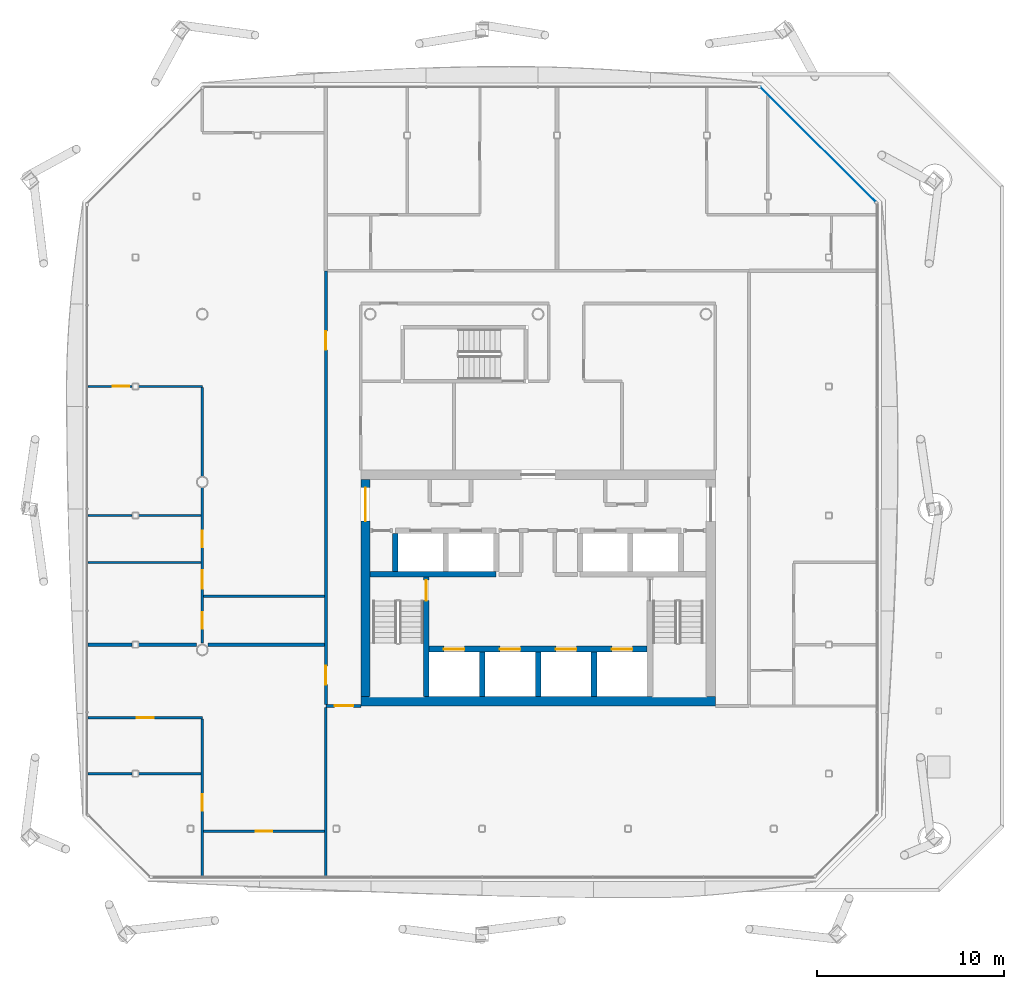
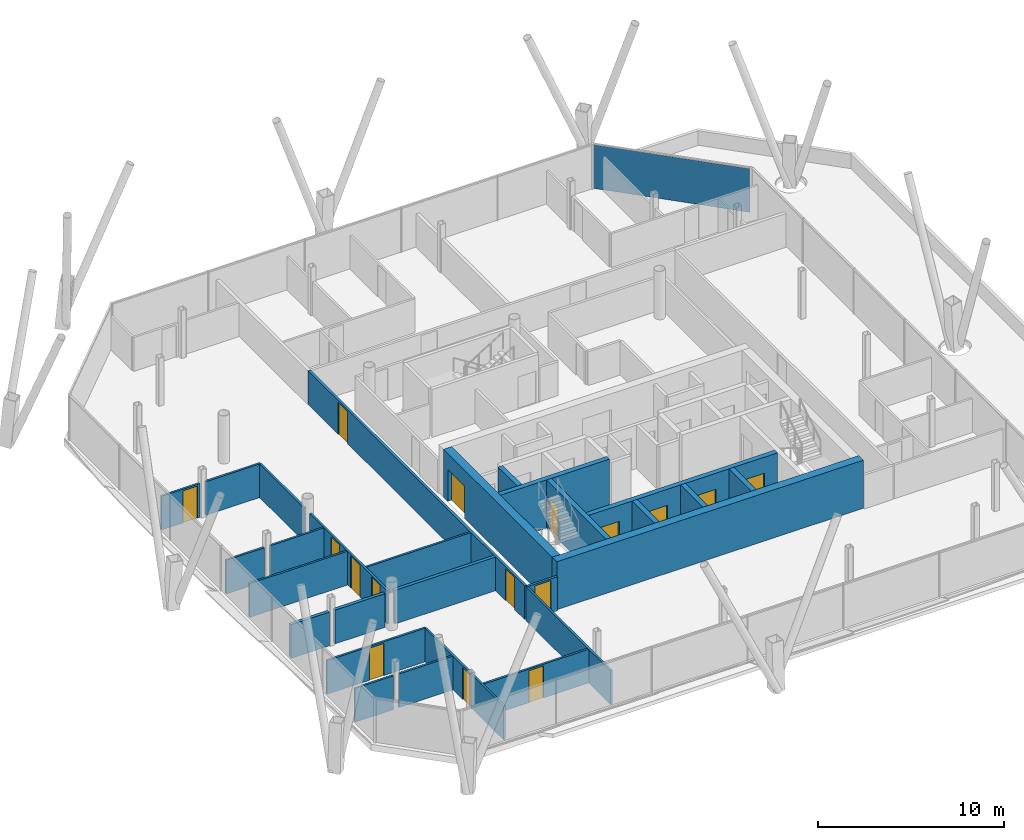
# One storey, part 13 of 21: 28 walls, 16 doors, 1 plate, 16 openings, 1 element without a shape of its own.
"""IFC4 building model written with IfcOpenShell, lengths in metres."""

from ifc_helpers import new_model, si_unit, direction, frame, frame_2d, origin, origin_2d, place, context, subcontext, project, spatial, rectangle, extrude, material, layer, layer_set, type_object, element, fill, aggregate, save


model = new_model("IFC4")

# Units and contexts
model_context = context("Model", 3, precision=1e-05, world=origin(), true_north=direction((0.0, 1.0)))
body_context = subcontext(model_context, "Body", "Model", "MODEL_VIEW")
ifc_project = project(units=[si_unit("LENGTHUNIT", "METRE"), si_unit("AREAUNIT", "SQUARE_METRE"), si_unit("VOLUMEUNIT", "CUBIC_METRE"), si_unit("PLANEANGLEUNIT", "RADIAN"), si_unit("MASSUNIT", "GRAM", prefix="KILO")], contexts=[model_context])

# Site, building, storey
site_placement = place(None, origin())
site = spatial("IfcSite", under=ifc_project, at=site_placement, CompositionType="ELEMENT")
building_placement = place(site_placement, origin())
building = spatial("IfcBuilding", under=site, at=building_placement, Name="Tskaro Facet Tower", CompositionType="ELEMENT")
storey_placement = place(building_placement, frame((0.0, 0.0, 172.199951171875)))
storey = spatial("IfcBuildingStorey", under=building, at=storey_placement, Name="L42", CompositionType="ELEMENT", Elevation=172.199951171875)

# Curtain wall, plate
ifc_material_1 = material(Name="Bronze anodised aluminium 6063-T6", Category="aluminium")
curtain_wall_type = type_object("IfcCurtainWallType", Name="Bronze residence curtain wall (FW3)", PredefinedType="NOTDEFINED", material=ifc_material_1)
curtain_wall_placement = place(storey_placement, origin())
curtain_wall = element("IfcCurtainWall", 1, at=curtain_wall_placement, inside=storey, type_object=curtain_wall_type, Name="FW3 north-east facet L42", PredefinedType="NOTDEFINED")
ifc_material_2 = material(Name="Bronze low-iron glass", Category="glass")
ifc_layer_1 = layer(ifc_material_2, 0.028076171875, Name="Bronze low-iron glass")
ifc_layer_set_1 = layer_set([ifc_layer_1], Name="Bronze low-iron glass")
plate_type = type_object("IfcPlateType", Name="FW3 bronze-tinted unit glazing 28", PredefinedType="CURTAIN_PANEL", material=ifc_layer_set_1)
plate_placement = place(storey_placement, frame((15.00390625, 18.10302734375, 0.0), z_axis=(0.0, 0.0, 1.0), x_axis=(-0.707106781187, 0.707106781187, 0.0)))
plate = element("IfcPlate", 2, at=plate_placement, type_object=plate_type, Name="FW3 north-east glazing 1.1", PredefinedType="CURTAIN_PANEL", context=body_context, shape_type="SweptSolid", body=[
    extrude(rectangle(XDim=8.691650390625, YDim=0.028076171875, at=origin_2d()), origin(), (0.0, 0.0, 1.0), 2.860107421875),
])
aggregate(curtain_wall, [plate])

# Wall, openings, doors
ifc_material_3 = material(Name="Concrete C60/75", Category="concrete")
ifc_layer_2 = layer(ifc_material_3, 0.300048828125, Name="Concrete C60/75")
ifc_layer_set_2 = layer_set([ifc_layer_2], Name="Concrete C60/75")
wall_type_1 = type_object("IfcWallType", Name="CORE-SHAFT", PredefinedType="SHEAR", material=ifc_layer_set_2)
wall_1_placement = place(storey_placement, frame((-5.85009765625, -8.949951171875, 0.0), z_axis=(0.0, 0.0, 1.0), x_axis=(1.0, 0.0, 0.0)))
wall_1 = element("IfcWall", 3, at=wall_1_placement, inside=storey, type_object=wall_type_1, Name="Shaft wall W009", PredefinedType="SHEAR", context=body_context, shape_type="SweptSolid", body=[
    extrude(rectangle(XDim=11.7001953125, YDim=0.300048828125, at=frame_2d((5.85009765625, 0.0))), origin(), (0.0, 0.0, 1.0), 3.150146484375),
])
opening_1_placement = place(wall_1_placement, frame((0.800048828125, 0.0, 0.0)))
opening_1 = element("IfcOpeningElement", 4, at=opening_1_placement, cuts=wall_1, Name="Opening LD-FF1", PredefinedType="OPENING", context=body_context, shape_type="SweptSolid", body=[
    extrude(rectangle(XDim=1.10009765625, YDim=2.10009765625, at=frame_2d((0.550048828125, 1.050048828125))), frame((0.0, 0.159912109375, 0.0), z_axis=(0.0, -1.0, 0.0), x_axis=(1.0, 0.0, 0.0)), (0.0, 0.0, 1.0), 0.320068359375),
])
opening_2_placement = place(wall_1_placement, frame((3.800048828125, 0.0, 0.0)))
opening_2 = element("IfcOpeningElement", 5, at=opening_2_placement, cuts=wall_1, Name="Opening LD-FF2", PredefinedType="OPENING", context=body_context, shape_type="SweptSolid", body=[
    extrude(rectangle(XDim=1.10009765625, YDim=2.10009765625, at=frame_2d((0.550048828125, 1.050048828125))), frame((0.0, 0.159912109375, 0.0), z_axis=(0.0, -1.0, 0.0), x_axis=(1.0, 0.0, 0.0)), (0.0, 0.0, 1.0), 0.320068359375),
])
opening_3_placement = place(wall_1_placement, frame((6.800048828125, 0.0, 0.0)))
opening_3 = element("IfcOpeningElement", 6, at=opening_3_placement, cuts=wall_1, Name="Opening LD-SV1", PredefinedType="OPENING", context=body_context, shape_type="SweptSolid", body=[
    extrude(rectangle(XDim=1.10009765625, YDim=2.10009765625, at=frame_2d((0.550048828125, 1.050048828125))), frame((0.0, 0.159912109375, 0.0), z_axis=(0.0, -1.0, 0.0), x_axis=(1.0, 0.0, 0.0)), (0.0, 0.0, 1.0), 0.320068359375),
])
opening_4_placement = place(wall_1_placement, frame((9.800048828125, 0.0, 0.0)))
opening_4 = element("IfcOpeningElement", 7, at=opening_4_placement, cuts=wall_1, Name="Opening LD-SV2", PredefinedType="OPENING", context=body_context, shape_type="SweptSolid", body=[
    extrude(rectangle(XDim=1.10009765625, YDim=2.10009765625, at=frame_2d((0.550048828125, 1.050048828125))), frame((0.0, 0.159912109375, 0.0), z_axis=(0.0, -1.0, 0.0), x_axis=(1.0, 0.0, 0.0)), (0.0, 0.0, 1.0), 0.320068359375),
])
ifc_material_4 = material(Name="Stainless steel", Category="steel")
door_type_1 = type_object("IfcDoorType", Name="D-LANDING", OperationType="NOTDEFINED", PredefinedType="DOOR", material=ifc_material_4)
door_1_placement = place(opening_1_placement, origin())
door_1 = element("IfcDoor", 8, at=door_1_placement, inside=storey, type_object=door_type_1, Name="Landing door FF1", OperationType="DOUBLE_DOOR_SLIDING", OverallHeight=2.10009765625, OverallWidth=1.10009765625, PredefinedType="DOOR", context=body_context, shape_type="SweptSolid", body=[
    extrude(rectangle(XDim=1.10009765625, YDim=2.10009765625, at=frame_2d((0.550048828125, 1.050048828125))), frame((0.0, 0.02490234375, 0.0), z_axis=(0.0, -1.0, 0.0), x_axis=(1.0, 0.0, 0.0)), (0.0, 0.0, 1.0), 0.050048828125),
])
fill(opening_1, door_1)
door_2_placement = place(opening_2_placement, origin())
door_2 = element("IfcDoor", 9, at=door_2_placement, inside=storey, type_object=door_type_1, Name="Landing door FF2", OperationType="DOUBLE_DOOR_SLIDING", OverallHeight=2.10009765625, OverallWidth=1.10009765625, PredefinedType="DOOR", context=body_context, shape_type="SweptSolid", body=[
    extrude(rectangle(XDim=1.10009765625, YDim=2.10009765625, at=frame_2d((0.550048828125, 1.050048828125))), frame((0.0, 0.02490234375, 0.0), z_axis=(0.0, -1.0, 0.0), x_axis=(1.0, 0.0, 0.0)), (0.0, 0.0, 1.0), 0.050048828125),
])
fill(opening_2, door_2)
door_3_placement = place(opening_3_placement, origin())
door_3 = element("IfcDoor", 10, at=door_3_placement, inside=storey, type_object=door_type_1, Name="Landing door SV1", OperationType="DOUBLE_DOOR_SLIDING", OverallHeight=2.10009765625, OverallWidth=1.10009765625, PredefinedType="DOOR", context=body_context, shape_type="SweptSolid", body=[
    extrude(rectangle(XDim=1.10009765625, YDim=2.10009765625, at=frame_2d((0.550048828125, 1.050048828125))), frame((0.0, 0.02490234375, 0.0), z_axis=(0.0, -1.0, 0.0), x_axis=(1.0, 0.0, 0.0)), (0.0, 0.0, 1.0), 0.050048828125),
])
fill(opening_3, door_3)
door_4_placement = place(opening_4_placement, origin())
door_4 = element("IfcDoor", 11, at=door_4_placement, inside=storey, type_object=door_type_1, Name="Landing door SV2", OperationType="DOUBLE_DOOR_SLIDING", OverallHeight=2.10009765625, OverallWidth=1.10009765625, PredefinedType="DOOR", context=body_context, shape_type="SweptSolid", body=[
    extrude(rectangle(XDim=1.10009765625, YDim=2.10009765625, at=frame_2d((0.550048828125, 1.050048828125))), frame((0.0, 0.02490234375, 0.0), z_axis=(0.0, -1.0, 0.0), x_axis=(1.0, 0.0, 0.0)), (0.0, 0.0, 1.0), 0.050048828125),
])
fill(opening_4, door_4)

# Walls
wall_2_placement = place(storey_placement, frame((-9.0, -4.949951171875, 0.0), z_axis=(0.0, 0.0, 1.0), x_axis=(1.0, 0.0, 0.0)))
element("IfcWall", 12, at=wall_2_placement, inside=storey, type_object=wall_type_1, Name="Shaft wall W016", PredefinedType="SHEAR", context=body_context, shape_type="SweptSolid", body=[
    extrude(rectangle(XDim=6.75, YDim=0.300048828125, at=frame_2d((3.375, 0.0))), origin(), (0.0, 0.0, 1.0), 3.150146484375),
])
wall_3_placement = place(storey_placement, frame((-7.64990234375, -4.800048828125, 0.0), z_axis=(0.0, 0.0, 1.0), x_axis=(0.0, 1.0, 0.0)))
element("IfcWall", 13, at=wall_3_placement, inside=storey, type_object=wall_type_1, Name="Shaft wall W055", PredefinedType="SHEAR", context=body_context, shape_type="SweptSolid", body=[
    extrude(rectangle(XDim=2.050048828125, YDim=0.300048828125, at=frame_2d((1.02490234375, 0.0))), origin(), (0.0, 0.0, 1.0), 3.150146484375),
])

# Wall, opening, door
wall_4_placement = place(storey_placement, frame((-6.0, -11.5, 0.0), z_axis=(0.0, 0.0, 1.0), x_axis=(0.0, 1.0, 0.0)))
wall_4 = element("IfcWall", 14, at=wall_4_placement, inside=storey, type_object=wall_type_1, Name="Shaft wall W059", PredefinedType="SHEAR", context=body_context, shape_type="SweptSolid", body=[
    extrude(rectangle(XDim=6.39990234375, YDim=0.300048828125, at=frame_2d((3.199951171875, 0.0))), origin(), (0.0, 0.0, 1.0), 3.150146484375),
])
opening_5_placement = place(wall_4_placement, frame((5.14990234375, 0.0, 0.0)))
opening_5 = element("IfcOpeningElement", 15, at=opening_5_placement, cuts=wall_4, Name="Opening ST-1-D1", PredefinedType="OPENING", context=body_context, shape_type="SweptSolid", body=[
    extrude(rectangle(XDim=1.10009765625, YDim=2.10009765625, at=frame_2d((0.550048828125, 1.050048828125))), frame((0.0, 0.159912109375, 0.0), z_axis=(0.0, -1.0, 0.0), x_axis=(1.0, 0.0, 0.0)), (0.0, 0.0, 1.0), 0.320068359375),
])
ifc_material_5 = material(Name="Steel", Category="steel")
door_type_2 = type_object("IfcDoorType", Name="D-STAIR", OperationType="NOTDEFINED", PredefinedType="DOOR", material=ifc_material_5)
door_5_placement = place(opening_5_placement, origin())
door_5 = element("IfcDoor", 16, at=door_5_placement, inside=storey, type_object=door_type_2, Name="Stair door 1", OperationType="SINGLE_SWING_LEFT", OverallHeight=2.10009765625, OverallWidth=1.10009765625, PredefinedType="DOOR", context=body_context, shape_type="SweptSolid", body=[
    extrude(rectangle(XDim=1.10009765625, YDim=2.10009765625, at=frame_2d((0.550048828125, 1.050048828125))), frame((0.0, 0.02490234375, 0.0), z_axis=(0.0, -1.0, 0.0), x_axis=(1.0, 0.0, 0.0)), (0.0, 0.0, 1.0), 0.050048828125),
])
fill(opening_5, door_5)

# Walls
for number, where, z_axis, x_axis, name in (
    (17, (-3.0, -11.5, 0.0), (0.0, 0.0, 1.0), (0.0, 1.0, 0.0), "Shaft wall W065"),
    (18, (0.0, -11.5, 0.0), (0.0, 0.0, 1.0), (0.0, 1.0, 0.0), "Shaft wall W069"),
    (19, (3.0, -11.5, 0.0), (0.0, 0.0, 1.0), (0.0, 1.0, 0.0), "Shaft wall W076"),
):
    element("IfcWall", number, at=place(storey_placement, frame(where, z_axis=z_axis, x_axis=x_axis)), inside=storey, type_object=wall_type_1, Name=name, PredefinedType="SHEAR", context=body_context, shape_type="SweptSolid", body=[
        extrude(rectangle(XDim=2.39990234375, YDim=0.300048828125, at=frame_2d((1.199951171875, 0.0))), origin(), (0.0, 0.0, 1.0), 3.150146484375),
    ])
ifc_material_6 = material(Name="Concrete C40/50", Category="concrete")
ifc_layer_3 = layer(ifc_material_6, 0.5, Name="Concrete C40/50")
ifc_layer_set_3 = layer_set([ifc_layer_3], Name="Concrete C40/50")
wall_type_2 = type_object("IfcWallType", Name="Core wall 500", PredefinedType="SHEAR", material=ifc_layer_set_3)
wall_5_placement = place(storey_placement, frame((-9.5, -11.75, 0.0), z_axis=(0.0, 0.0, 1.0), x_axis=(1.0, 0.0, 0.0)))
element("IfcWall", 20, at=wall_5_placement, inside=storey, type_object=wall_type_2, Name="Core wall CW-Z3S", PredefinedType="SHEAR", context=body_context, shape_type="SweptSolid", body=[
    extrude(rectangle(XDim=19.0, YDim=0.5, at=frame_2d((9.5, 0.0))), origin(), (0.0, 0.0, 1.0), 3.150146484375),
])

# Wall, opening, door
wall_6_placement = place(storey_placement, frame((-9.25, -11.5, 0.0), z_axis=(0.0, 0.0, 1.0), x_axis=(0.0, 1.0, 0.0)))
wall_6 = element("IfcWall", 21, at=wall_6_placement, inside=storey, type_object=wall_type_2, Name="Core wall CW-Z3W", PredefinedType="SHEAR", context=body_context, shape_type="SweptSolid", body=[
    extrude(rectangle(XDim=11.64990234375, YDim=0.5, at=frame_2d((5.824951171875, 0.0))), origin(), (0.0, 0.0, 1.0), 3.150146484375),
])
opening_6_placement = place(wall_6_placement, frame((9.39990234375, 0.0, 0.0)))
opening_6 = element("IfcOpeningElement", 22, at=opening_6_placement, cuts=wall_6, Name="Opening T12-D16", PredefinedType="OPENING", context=body_context, shape_type="SweptSolid", body=[
    extrude(rectangle(XDim=1.800048828125, YDim=2.10009765625, at=frame_2d((0.89990234375, 1.050048828125))), frame((0.0, 0.260009765625, 0.0), z_axis=(0.0, -1.0, 0.0), x_axis=(1.0, 0.0, 0.0)), (0.0, 0.0, 1.0), 0.52001953125),
])
door_type_3 = type_object("IfcDoorType", Name="D-CORE-PAIR", OperationType="NOTDEFINED", PredefinedType="DOOR", material=ifc_material_5)
door_6_placement = place(opening_6_placement, origin())
door_6 = element("IfcDoor", 23, at=door_6_placement, inside=storey, type_object=door_type_3, Name="Door T12-D16", OperationType="DOUBLE_DOOR_SINGLE_SWING", OverallHeight=2.10009765625, OverallWidth=1.800048828125, PredefinedType="DOOR", context=body_context, shape_type="SweptSolid", body=[
    extrude(rectangle(XDim=1.800048828125, YDim=2.10009765625, at=frame_2d((0.89990234375, 1.050048828125))), frame((0.0, 0.02490234375, 0.0), z_axis=(0.0, -1.0, 0.0), x_axis=(1.0, 0.0, 0.0)), (0.0, 0.0, 1.0), 0.050048828125),
])
fill(opening_6, door_6)

ifc_material_7 = material(Name="Gypsum board on steel studs", Category="steel")
ifc_layer_4 = layer(ifc_material_7, 0.125, Name="Gypsum board on steel studs")
ifc_layer_set_4 = layer_set([ifc_layer_4], Name="Gypsum board on steel studs")
wall_type_3 = type_object("IfcWallType", Name="PART", PredefinedType="PARTITIONING", material=ifc_layer_set_4)
wall_7_placement = place(storey_placement, frame((-11.4375, -18.72509765625, 0.0), z_axis=(0.0, 0.0, 1.0), x_axis=(-1.0, 0.0, 0.0)))
wall_7 = element("IfcWall", 24, at=wall_7_placement, inside=storey, type_object=wall_type_3, Name="Partition W001", PredefinedType="PARTITIONING", context=body_context, shape_type="SweptSolid", body=[
    extrude(rectangle(XDim=6.5, YDim=0.125, at=frame_2d((3.25, 0.0))), origin(), (0.0, 0.0, 1.0), 2.2099609375),
])
opening_7_placement = place(wall_7_placement, frame((2.800048828125, 0.0, 0.0)))
opening_7 = element("IfcOpeningElement", 25, at=opening_7_placement, cuts=wall_7, Name="Opening T12-D01", PredefinedType="OPENING", context=body_context, shape_type="SweptSolid", body=[
    extrude(rectangle(XDim=0.89990234375, YDim=2.10009765625, at=frame_2d((0.449951171875, 1.050048828125))), frame((0.0, 0.072509765625, 0.0), z_axis=(0.0, -1.0, 0.0), x_axis=(1.0, 0.0, 0.0)), (0.0, 0.0, 1.0), 0.14501953125),
])
ifc_material_8 = material(Name="Timber", Category="wood")
door_type_4 = type_object("IfcDoorType", Name="D-ROOM", OperationType="NOTDEFINED", PredefinedType="DOOR", material=ifc_material_8)
door_7_placement = place(opening_7_placement, origin())
door_7 = element("IfcDoor", 26, at=door_7_placement, inside=storey, type_object=door_type_4, Name="Door T12-D01", OperationType="SINGLE_SWING_RIGHT", OverallHeight=2.10009765625, OverallWidth=0.89990234375, PredefinedType="DOOR", context=body_context, shape_type="SweptSolid", body=[
    extrude(rectangle(XDim=0.89990234375, YDim=2.10009765625, at=frame_2d((0.449951171875, 1.050048828125))), frame((0.0, 0.02490234375, 0.0), z_axis=(0.0, -1.0, 0.0), x_axis=(1.0, 0.0, 0.0)), (0.0, 0.0, 1.0), 0.050048828125),
])
fill(opening_7, door_7)

# Walls
wall_8_placement = place(storey_placement, frame((-24.125, -15.635009765625, 0.0), z_axis=(0.0, 0.0, 1.0), x_axis=(1.0, 0.0, 0.0)))
element("IfcWall", 27, at=wall_8_placement, inside=storey, type_object=wall_type_3, Name="Partition W002", PredefinedType="PARTITIONING", context=body_context, shape_type="SweptSolid", body=[
    extrude(rectangle(XDim=2.366943359375, YDim=0.125, at=frame_2d((1.18359375, 0.0))), origin(), (0.0, 0.0, 1.0), 2.2099609375),
])
wall_9_placement = place(storey_placement, frame((-21.407958984375, -15.635009765625, 0.0), z_axis=(0.0, 0.0, 1.0), x_axis=(1.0, 0.0, 0.0)))
element("IfcWall", 28, at=wall_9_placement, inside=storey, type_object=wall_type_3, Name="Partition W003", PredefinedType="PARTITIONING", context=body_context, shape_type="SweptSolid", body=[
    extrude(rectangle(XDim=3.345458984375, YDim=0.125, at=frame_2d((1.6728515625, 0.0))), origin(), (0.0, 0.0, 1.0), 2.2099609375),
])

# Wall, opening, door
wall_10_placement = place(storey_placement, frame((-18.0, -12.625, 0.0), z_axis=(0.0, 0.0, 1.0), x_axis=(-1.0, 0.0, 0.0)))
wall_10 = element("IfcWall", 29, at=wall_10_placement, inside=storey, type_object=wall_type_3, Name="Partition W004", PredefinedType="PARTITIONING", context=body_context, shape_type="SweptSolid", body=[
    extrude(rectangle(XDim=6.125, YDim=0.125, at=frame_2d((3.0625, 0.0))), origin(), (0.0, 0.0, 1.0), 2.2099609375),
])
opening_8_placement = place(wall_10_placement, frame((2.612548828125, 0.0, 0.0)))
opening_8 = element("IfcOpeningElement", 30, at=opening_8_placement, cuts=wall_10, Name="Opening T12-D03", PredefinedType="OPENING", context=body_context, shape_type="SweptSolid", body=[
    extrude(rectangle(XDim=0.89990234375, YDim=2.10009765625, at=frame_2d((0.449951171875, 1.050048828125))), frame((0.0, 0.072509765625, 0.0), z_axis=(0.0, -1.0, 0.0), x_axis=(1.0, 0.0, 0.0)), (0.0, 0.0, 1.0), 0.14501953125),
])
door_8_placement = place(opening_8_placement, origin())
door_8 = element("IfcDoor", 31, at=door_8_placement, inside=storey, type_object=door_type_4, Name="Door T12-D03", OperationType="SINGLE_SWING_RIGHT", OverallHeight=2.10009765625, OverallWidth=0.89990234375, PredefinedType="DOOR", context=body_context, shape_type="SweptSolid", body=[
    extrude(rectangle(XDim=0.89990234375, YDim=2.10009765625, at=frame_2d((0.449951171875, 1.050048828125))), frame((0.0, 0.02490234375, 0.0), z_axis=(0.0, -1.0, 0.0), x_axis=(1.0, 0.0, 0.0)), (0.0, 0.0, 1.0), 0.050048828125),
])
fill(opening_8, door_8)

# Walls
wall_11_placement = place(storey_placement, frame((-17.9375, -6.114990234375, 0.0), z_axis=(0.0, 0.0, 1.0), x_axis=(1.0, 0.0, 0.0)))
element("IfcWall", 32, at=wall_11_placement, inside=storey, type_object=wall_type_3, Name="Partition W015", PredefinedType="PARTITIONING", context=body_context, shape_type="SweptSolid", body=[
    extrude(rectangle(XDim=6.487548828125, YDim=0.125, at=frame_2d((3.24365234375, 0.0))), origin(), (0.0, 0.0, 1.0), 2.2099609375),
])
wall_12_placement = place(storey_placement, frame((-24.125, -4.31494140625, 0.0), z_axis=(0.0, 0.0, 1.0), x_axis=(1.0, 0.0, 0.0)))
element("IfcWall", 33, at=wall_12_placement, inside=storey, type_object=wall_type_3, Name="Partition W020", PredefinedType="PARTITIONING", context=body_context, shape_type="SweptSolid", body=[
    extrude(rectangle(XDim=6.0625, YDim=0.125, at=frame_2d((3.03125, 0.0))), origin(), (0.0, 0.0, 1.0), 2.2099609375),
])
wall_13_placement = place(storey_placement, frame((-24.125, -1.794921875, 0.0), z_axis=(0.0, 0.0, 1.0), x_axis=(1.0, 0.0, 0.0)))
element("IfcWall", 34, at=wall_13_placement, inside=storey, type_object=wall_type_3, Name="Partition W027", PredefinedType="PARTITIONING", context=body_context, shape_type="SweptSolid", body=[
    extrude(rectangle(XDim=2.366943359375, YDim=0.125, at=frame_2d((1.18359375, 0.0))), origin(), (0.0, 0.0, 1.0), 2.2099609375),
])
wall_14_placement = place(storey_placement, frame((-21.407958984375, -1.794921875, 0.0), z_axis=(0.0, 0.0, 1.0), x_axis=(1.0, 0.0, 0.0)))
element("IfcWall", 35, at=wall_14_placement, inside=storey, type_object=wall_type_3, Name="Partition W028", PredefinedType="PARTITIONING", context=body_context, shape_type="SweptSolid", body=[
    extrude(rectangle(XDim=3.345458984375, YDim=0.125, at=frame_2d((1.6728515625, 0.0))), origin(), (0.0, 0.0, 1.0), 2.2099609375),
])

# Wall, opening, door
wall_15_placement = place(storey_placement, frame((-21.758056640625, 5.125, 0.0), z_axis=(0.0, 0.0, 1.0), x_axis=(-1.0, 0.0, 0.0)))
wall_15 = element("IfcWall", 36, at=wall_15_placement, inside=storey, type_object=wall_type_3, Name="Partition W031", PredefinedType="PARTITIONING", context=body_context, shape_type="SweptSolid", body=[
    extrude(rectangle(XDim=2.366943359375, YDim=0.125, at=frame_2d((1.18359375, 0.0))), origin(), (0.0, 0.0, 1.0), 2.2099609375),
])
opening_9_placement = place(wall_15_placement, frame((0.14990234375, 0.0, 0.0)))
opening_9 = element("IfcOpeningElement", 37, at=opening_9_placement, cuts=wall_15, Name="Opening T12-D23", PredefinedType="OPENING", context=body_context, shape_type="SweptSolid", body=[
    extrude(rectangle(XDim=0.89990234375, YDim=2.10009765625, at=frame_2d((0.449951171875, 1.050048828125))), frame((0.0, 0.072509765625, 0.0), z_axis=(0.0, -1.0, 0.0), x_axis=(1.0, 0.0, 0.0)), (0.0, 0.0, 1.0), 0.14501953125),
])
door_9_placement = place(opening_9_placement, origin())
door_9 = element("IfcDoor", 38, at=door_9_placement, inside=storey, type_object=door_type_4, Name="Door T12-D23", OperationType="SINGLE_SWING_RIGHT", OverallHeight=2.10009765625, OverallWidth=0.89990234375, PredefinedType="DOOR", context=body_context, shape_type="SweptSolid", body=[
    extrude(rectangle(XDim=0.89990234375, YDim=2.10009765625, at=frame_2d((0.449951171875, 1.050048828125))), frame((0.0, 0.02490234375, 0.0), z_axis=(0.0, -1.0, 0.0), x_axis=(1.0, 0.0, 0.0)), (0.0, 0.0, 1.0), 0.050048828125),
])
fill(opening_9, door_9)

# Wall
wall_16_placement = place(storey_placement, frame((-21.407958984375, 5.125, 0.0), z_axis=(0.0, 0.0, 1.0), x_axis=(1.0, 0.0, 0.0)))
element("IfcWall", 39, at=wall_16_placement, inside=storey, type_object=wall_type_3, Name="Partition W032", PredefinedType="PARTITIONING", context=body_context, shape_type="SweptSolid", body=[
    extrude(rectangle(XDim=3.407958984375, YDim=0.125, at=frame_2d((1.7041015625, 0.0))), origin(), (0.0, 0.0, 1.0), 2.2099609375),
])

# Wall, opening, door
wall_17_placement = place(storey_placement, frame((-18.0, -21.125, 0.0), z_axis=(0.0, 0.0, 1.0), x_axis=(0.0, 1.0, 0.0)))
wall_17 = element("IfcWall", 40, at=wall_17_placement, inside=storey, type_object=wall_type_3, Name="Partition W046", PredefinedType="PARTITIONING", context=body_context, shape_type="SweptSolid", body=[
    extrude(rectangle(XDim=8.4375, YDim=0.125, at=frame_2d((4.21875, 0.0))), origin(), (0.0, 0.0, 1.0), 2.2099609375),
])
opening_10_placement = place(wall_17_placement, frame((3.4951171875, 0.0, 0.0)))
opening_10 = element("IfcOpeningElement", 41, at=opening_10_placement, cuts=wall_17, Name="Opening T12-D02", PredefinedType="OPENING", context=body_context, shape_type="SweptSolid", body=[
    extrude(rectangle(XDim=0.89990234375, YDim=2.10009765625, at=frame_2d((0.449951171875, 1.050048828125))), frame((0.0, 0.072509765625, 0.0), z_axis=(0.0, -1.0, 0.0), x_axis=(1.0, 0.0, 0.0)), (0.0, 0.0, 1.0), 0.14501953125),
])
door_10_placement = place(opening_10_placement, origin())
door_10 = element("IfcDoor", 42, at=door_10_placement, inside=storey, type_object=door_type_4, Name="Door T12-D02", OperationType="SINGLE_SWING_RIGHT", OverallHeight=2.10009765625, OverallWidth=0.89990234375, PredefinedType="DOOR", context=body_context, shape_type="SweptSolid", body=[
    extrude(rectangle(XDim=0.89990234375, YDim=2.10009765625, at=frame_2d((0.449951171875, 1.050048828125))), frame((0.0, 0.02490234375, 0.0), z_axis=(0.0, -1.0, 0.0), x_axis=(1.0, 0.0, 0.0)), (0.0, 0.0, 1.0), 0.050048828125),
])
fill(opening_10, door_10)

# Wall, openings, doors
wall_18_placement = place(storey_placement, frame((-18.0, -8.614990234375, 0.0), z_axis=(0.0, 0.0, 1.0), x_axis=(0.0, 1.0, 0.0)))
wall_18 = element("IfcWall", 43, at=wall_18_placement, inside=storey, type_object=wall_type_3, Name="Partition W047", PredefinedType="PARTITIONING", context=body_context, shape_type="SweptSolid", body=[
    extrude(rectangle(XDim=8.31005859375, YDim=0.125, at=frame_2d((4.155029296875, 0.0))), origin(), (0.0, 0.0, 1.0), 2.2099609375),
])
opening_11_placement = place(wall_18_placement, frame((5.110107421875, 0.0, 0.0)))
opening_11 = element("IfcOpeningElement", 44, at=opening_11_placement, cuts=wall_18, Name="Opening T12-D11", PredefinedType="OPENING", context=body_context, shape_type="SweptSolid", body=[
    extrude(rectangle(XDim=0.89990234375, YDim=2.10009765625, at=frame_2d((0.449951171875, 1.050048828125))), frame((0.0, 0.072509765625, 0.0), z_axis=(0.0, -1.0, 0.0), x_axis=(1.0, 0.0, 0.0)), (0.0, 0.0, 1.0), 0.14501953125),
])
opening_12_placement = place(wall_18_placement, frame((2.89990234375, 0.0, 0.0)))
opening_12 = element("IfcOpeningElement", 45, at=opening_12_placement, cuts=wall_18, Name="Opening T12-D10", PredefinedType="OPENING", context=body_context, shape_type="SweptSolid", body=[
    extrude(rectangle(XDim=1.0, YDim=2.10009765625, at=frame_2d((0.5, 1.050048828125))), frame((0.0, 0.072509765625, 0.0), z_axis=(0.0, -1.0, 0.0), x_axis=(1.0, 0.0, 0.0)), (0.0, 0.0, 1.0), 0.14501953125),
])
opening_13_placement = place(wall_18_placement, frame((0.75, 0.0, 0.0)))
opening_13 = element("IfcOpeningElement", 46, at=opening_13_placement, cuts=wall_18, Name="Opening T12-D08", PredefinedType="OPENING", context=body_context, shape_type="SweptSolid", body=[
    extrude(rectangle(XDim=0.89990234375, YDim=2.10009765625, at=frame_2d((0.449951171875, 1.050048828125))), frame((0.0, 0.072509765625, 0.0), z_axis=(0.0, -1.0, 0.0), x_axis=(1.0, 0.0, 0.0)), (0.0, 0.0, 1.0), 0.14501953125),
])
door_11_placement = place(opening_11_placement, origin())
door_11 = element("IfcDoor", 47, at=door_11_placement, inside=storey, type_object=door_type_4, Name="Door T12-D11", OperationType="SINGLE_SWING_LEFT", OverallHeight=2.10009765625, OverallWidth=0.89990234375, PredefinedType="DOOR", context=body_context, shape_type="SweptSolid", body=[
    extrude(rectangle(XDim=0.89990234375, YDim=2.10009765625, at=frame_2d((0.449951171875, 1.050048828125))), frame((0.0, 0.02490234375, 0.0), z_axis=(0.0, -1.0, 0.0), x_axis=(1.0, 0.0, 0.0)), (0.0, 0.0, 1.0), 0.050048828125),
])
fill(opening_11, door_11)
door_12_placement = place(opening_13_placement, origin())
door_12 = element("IfcDoor", 48, at=door_12_placement, inside=storey, type_object=door_type_4, Name="Door T12-D08", OperationType="SINGLE_SWING_LEFT", OverallHeight=2.10009765625, OverallWidth=0.89990234375, PredefinedType="DOOR", context=body_context, shape_type="SweptSolid", body=[
    extrude(rectangle(XDim=0.89990234375, YDim=2.10009765625, at=frame_2d((0.449951171875, 1.050048828125))), frame((0.0, 0.02490234375, 0.0), z_axis=(0.0, -1.0, 0.0), x_axis=(1.0, 0.0, 0.0)), (0.0, 0.0, 1.0), 0.050048828125),
])
fill(opening_13, door_12)
door_type_5 = type_object("IfcDoorType", Name="D-ROOM-WIDE", OperationType="NOTDEFINED", PredefinedType="DOOR", material=ifc_material_8)
door_13_placement = place(opening_12_placement, origin())
door_13 = element("IfcDoor", 49, at=door_13_placement, inside=storey, type_object=door_type_5, Name="Door T12-D10", OperationType="SINGLE_SWING_RIGHT", OverallHeight=2.10009765625, OverallWidth=1.0, PredefinedType="DOOR", context=body_context, shape_type="SweptSolid", body=[
    extrude(rectangle(XDim=1.0, YDim=2.10009765625, at=frame_2d((0.5, 1.050048828125))), frame((0.0, 0.02490234375, 0.0), z_axis=(0.0, -1.0, 0.0), x_axis=(1.0, 0.0, 0.0)), (0.0, 0.0, 1.0), 0.050048828125),
])
fill(opening_12, door_13)

# Walls
wall_19_placement = place(storey_placement, frame((-18.0, 0.304931640625, 0.0), z_axis=(0.0, 0.0, 1.0), x_axis=(0.0, 1.0, 0.0)))
element("IfcWall", 50, at=wall_19_placement, inside=storey, type_object=wall_type_3, Name="Partition W048", PredefinedType="PARTITIONING", context=body_context, shape_type="SweptSolid", body=[
    extrude(rectangle(XDim=4.757568359375, YDim=0.125, at=frame_2d((2.37890625, 0.0))), origin(), (0.0, 0.0, 1.0), 2.2099609375),
])
wall_20_placement = place(storey_placement, frame((-11.375, -21.125, 0.0), z_axis=(0.0, 0.0, 1.0), x_axis=(0.0, 1.0, 0.0)))
element("IfcWall", 51, at=wall_20_placement, inside=storey, type_object=wall_type_3, Name="Partition W050", PredefinedType="PARTITIONING", context=body_context, shape_type="SweptSolid", body=[
    extrude(rectangle(XDim=9.050048828125, YDim=0.125, at=frame_2d((4.52490234375, 0.0))), origin(), (0.0, 0.0, 1.0), 2.2099609375),
])

# Wall, opening, door
ifc_layer_5 = layer(ifc_material_7, 0.14990234375, Name="Gypsum board on steel studs")
ifc_layer_set_5 = layer_set([ifc_layer_5], Name="Gypsum board on steel studs")
wall_type_4 = type_object("IfcWallType", Name="PART-CORR", PredefinedType="PARTITIONING", material=ifc_layer_set_5)
wall_21_placement = place(storey_placement, frame((-9.5, -12.0, 0.0), z_axis=(0.0, 0.0, 1.0), x_axis=(-1.0, 0.0, 0.0)))
wall_21 = element("IfcWall", 52, at=wall_21_placement, inside=storey, type_object=wall_type_4, Name="Corridor wall W005", PredefinedType="PARTITIONING", context=body_context, shape_type="SweptSolid", body=[
    extrude(rectangle(XDim=1.875, YDim=0.14990234375, at=frame_2d((0.9375, 0.0))), origin(), (0.0, 0.0, 1.0), 2.2099609375),
])
opening_14_placement = place(wall_21_placement, frame((0.39990234375, 0.0, 0.0)))
opening_14 = element("IfcOpeningElement", 53, at=opening_14_placement, cuts=wall_21, Name="Opening T12-D04", PredefinedType="OPENING", context=body_context, shape_type="SweptSolid", body=[
    extrude(rectangle(XDim=1.0, YDim=2.10009765625, at=frame_2d((0.5, 1.050048828125))), frame((0.0, 0.0849609375, 0.0), z_axis=(0.0, -1.0, 0.0), x_axis=(1.0, 0.0, 0.0)), (0.0, 0.0, 1.0), 0.169921875),
])
door_14_placement = place(opening_14_placement, origin())
door_14 = element("IfcDoor", 54, at=door_14_placement, inside=storey, type_object=door_type_5, Name="Door T12-D04", OperationType="SINGLE_SWING_RIGHT", OverallHeight=2.10009765625, OverallWidth=1.0, PredefinedType="DOOR", context=body_context, shape_type="SweptSolid", body=[
    extrude(rectangle(XDim=1.0, YDim=2.10009765625, at=frame_2d((0.5, 1.050048828125))), frame((0.0, 0.02490234375, 0.0), z_axis=(0.0, -1.0, 0.0), x_axis=(1.0, 0.0, 0.0)), (0.0, 0.0, 1.0), 0.050048828125),
])
fill(opening_14, door_14)

# Wall, openings, doors
wall_22_placement = place(storey_placement, frame((-11.375, -11.925048828125, 0.0), z_axis=(0.0, 0.0, 1.0), x_axis=(0.0, 1.0, 0.0)))
wall_22 = element("IfcWall", 55, at=wall_22_placement, inside=storey, type_object=wall_type_4, Name="Corridor wall W051", PredefinedType="PARTITIONING", context=body_context, shape_type="SweptSolid", body=[
    extrude(rectangle(XDim=23.25, YDim=0.14990234375, at=frame_2d((11.625, 0.0))), origin(), (0.0, 0.0, 1.0), 2.2099609375),
])
opening_15_placement = place(wall_22_placement, frame((1.0673828125, 0.0, 0.0)))
opening_15 = element("IfcOpeningElement", 56, at=opening_15_placement, cuts=wall_22, Name="Opening T12-D05", PredefinedType="OPENING", context=body_context, shape_type="SweptSolid", body=[
    extrude(rectangle(XDim=1.0, YDim=2.10009765625, at=frame_2d((0.5, 1.050048828125))), frame((0.0, 0.0849609375, 0.0), z_axis=(0.0, -1.0, 0.0), x_axis=(1.0, 0.0, 0.0)), (0.0, 0.0, 1.0), 0.169921875),
])
opening_16_placement = place(wall_22_placement, frame((19.010009765625, 0.0, 0.0)))
opening_16 = element("IfcOpeningElement", 57, at=opening_16_placement, cuts=wall_22, Name="Opening T12-D25", PredefinedType="OPENING", context=body_context, shape_type="SweptSolid", body=[
    extrude(rectangle(XDim=1.0, YDim=2.10009765625, at=frame_2d((0.5, 1.050048828125))), frame((0.0, 0.0849609375, 0.0), z_axis=(0.0, -1.0, 0.0), x_axis=(1.0, 0.0, 0.0)), (0.0, 0.0, 1.0), 0.169921875),
])
door_type_6 = type_object("IfcDoorType", Name="D-FLAT-ENTRY", OperationType="NOTDEFINED", PredefinedType="DOOR", material=ifc_material_8)
door_15_placement = place(opening_15_placement, origin())
door_15 = element("IfcDoor", 58, at=door_15_placement, inside=storey, type_object=door_type_6, Name="Door T12-D05", OperationType="SINGLE_SWING_LEFT", OverallHeight=2.10009765625, OverallWidth=1.0, PredefinedType="DOOR", context=body_context, shape_type="SweptSolid", body=[
    extrude(rectangle(XDim=1.0, YDim=2.10009765625, at=frame_2d((0.5, 1.050048828125))), frame((0.0, 0.02490234375, 0.0), z_axis=(0.0, -1.0, 0.0), x_axis=(1.0, 0.0, 0.0)), (0.0, 0.0, 1.0), 0.050048828125),
])
fill(opening_15, door_15)
door_16_placement = place(opening_16_placement, origin())
door_16 = element("IfcDoor", 59, at=door_16_placement, inside=storey, type_object=door_type_6, Name="Door T12-D25", OperationType="SINGLE_SWING_LEFT", OverallHeight=2.10009765625, OverallWidth=1.0, PredefinedType="DOOR", context=body_context, shape_type="SweptSolid", body=[
    extrude(rectangle(XDim=1.0, YDim=2.10009765625, at=frame_2d((0.5, 1.050048828125))), frame((0.0, 0.02490234375, 0.0), z_axis=(0.0, -1.0, 0.0), x_axis=(1.0, 0.0, 0.0)), (0.0, 0.0, 1.0), 0.050048828125),
])
fill(opening_16, door_16)

# Walls
ifc_layer_6 = layer(ifc_material_7, 0.199951171875, Name="Gypsum board on steel studs")
ifc_layer_set_6 = layer_set([ifc_layer_6], Name="Gypsum board on steel studs")
wall_type_5 = type_object("IfcWallType", Name="PART-DEMISING", PredefinedType="PARTITIONING", material=ifc_layer_set_6)
wall_23_placement = place(storey_placement, frame((-24.125, -8.715087890625, 0.0), z_axis=(0.0, 0.0, 1.0), x_axis=(1.0, 0.0, 0.0)))
element("IfcWall", 60, at=wall_23_placement, inside=storey, type_object=wall_type_5, Name="Guest room wall W010", PredefinedType="PARTITIONING", context=body_context, shape_type="SweptSolid", body=[
    extrude(rectangle(XDim=2.366943359375, YDim=0.199951171875, at=frame_2d((1.18359375, 0.0))), origin(), (0.0, 0.0, 1.0), 2.2099609375),
])
wall_24_placement = place(storey_placement, frame((-21.407958984375, -8.715087890625, 0.0), z_axis=(0.0, 0.0, 1.0), x_axis=(1.0, 0.0, 0.0)))
element("IfcWall", 61, at=wall_24_placement, inside=storey, type_object=wall_type_5, Name="Guest room wall W011", PredefinedType="PARTITIONING", context=body_context, shape_type="SweptSolid", body=[
    extrude(rectangle(XDim=3.10302734375, YDim=0.199951171875, at=frame_2d((1.551513671875, 0.0))), origin(), (0.0, 0.0, 1.0), 2.2099609375),
])
wall_25_placement = place(storey_placement, frame((-17.695068359375, -8.715087890625, 0.0), z_axis=(0.0, 0.0, 1.0), x_axis=(1.0, 0.0, 0.0)))
element("IfcWall", 62, at=wall_25_placement, inside=storey, type_object=wall_type_5, Name="Guest room wall W012", PredefinedType="PARTITIONING", context=body_context, shape_type="SweptSolid", body=[
    extrude(rectangle(XDim=6.2451171875, YDim=0.199951171875, at=frame_2d((3.12255859375, 0.0))), origin(), (0.0, 0.0, 1.0), 2.2099609375),
])

save(model, "model.ifc")
